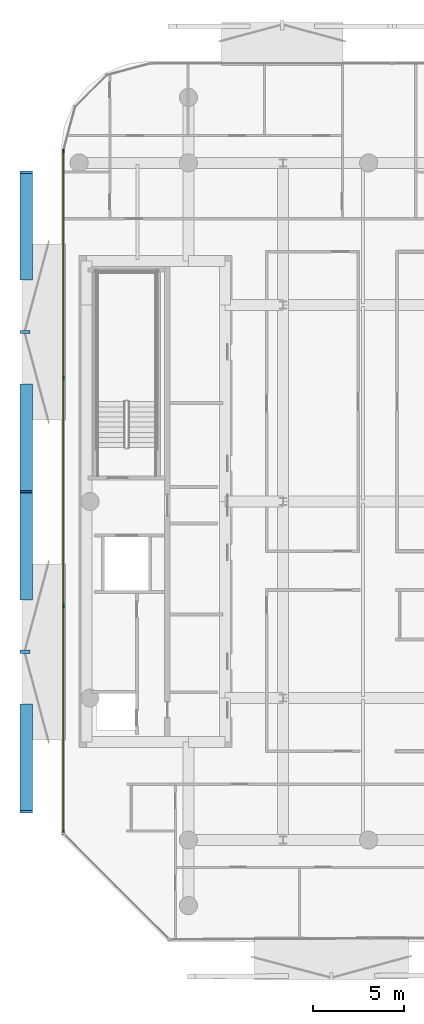
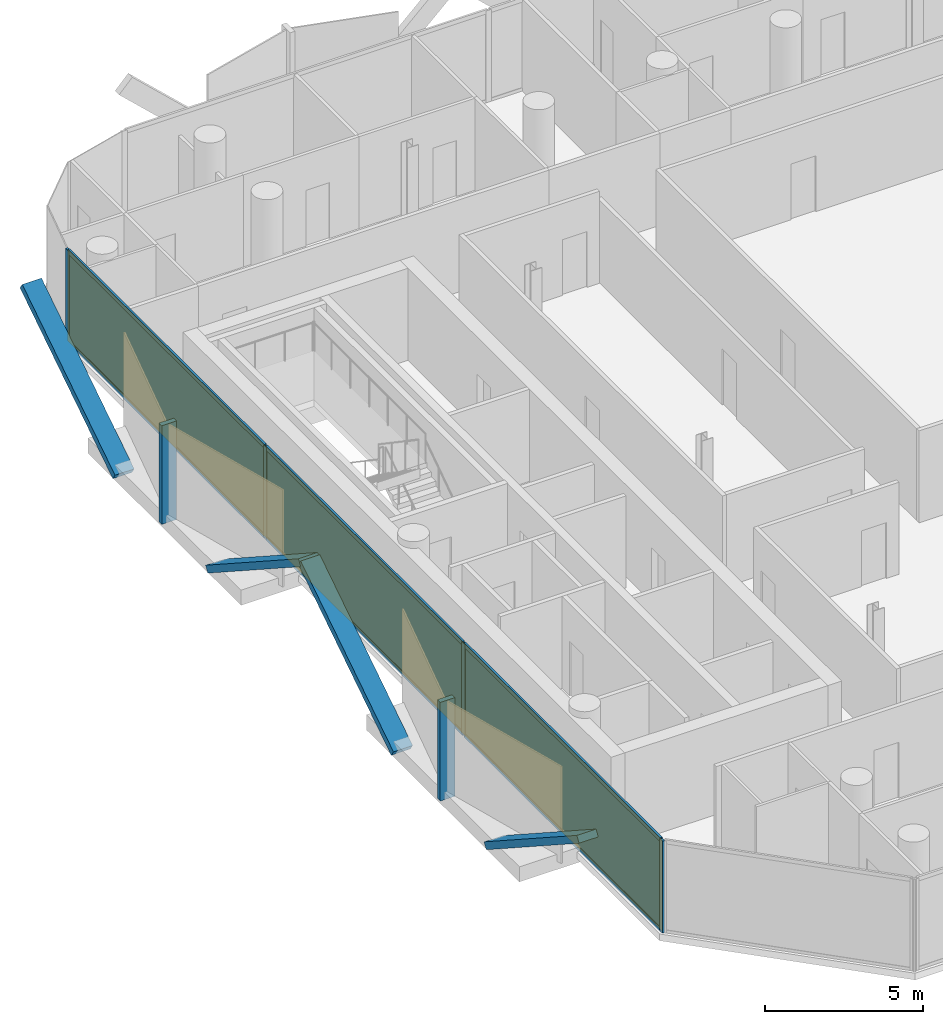
# One storey, part 10 of 15: 16 members, 3 plates, 1 curtain wall.
"""IFC4 building model written with IfcOpenShell, lengths in metres."""

from ifc_helpers import new_model, si_unit, direction, frame, frame_2d, origin, origin_2d, place, context, subcontext, project, spatial, rectangle, extrude, material, layer, layer_set, material_profile, profile_set, type_object, element, aggregate, save


model = new_model("IFC4")

# Units and contexts
model_context = context("Model", 3, precision=1e-05, world=origin(), true_north=direction((0.0, 1.0)))
body_context = subcontext(model_context, "Body", "Model", "MODEL_VIEW")
ifc_project = project(units=[si_unit("LENGTHUNIT", "METRE"), si_unit("AREAUNIT", "SQUARE_METRE"), si_unit("VOLUMEUNIT", "CUBIC_METRE"), si_unit("PLANEANGLEUNIT", "RADIAN"), si_unit("MASSUNIT", "GRAM", prefix="KILO")], contexts=[model_context])

# Member
ifc_material_1 = material(Name="Anodised Bronze Aluminium 6063-T6", Category="aluminium")
ifc_material_profile_1 = material_profile(ifc_material_1, rectangle(XDim=0.260009765625, YDim=0.699951171875, at=origin_2d()))
ifc_profile_set_1 = profile_set([ifc_material_profile_1], Name="Anodised Bronze Aluminium 6063-T6")
member_type_1 = type_object("IfcMemberType", Name="Bronze Diamond Solar-Screen Lattice Rib BDL-700", PredefinedType="MULLION", material=ifc_profile_set_1)
site_placement = place(None, origin())
building_placement = place(site_placement, origin())
storey_placement = place(building_placement, frame((0.0, 0.0, 285.199951171875)))
member_1_placement = place(storey_placement, frame((-23.300048828125, -5.3310546875, -0.1298828125), z_axis=(0.0, 0.838836542379, 0.544383371503), x_axis=(0.0, -0.544383371503, 0.838836542379)))
member_1 = element("IfcMember", 1, at=member_1_placement, type_object=member_type_1, Name="L68 Bronze Diamond Solar Screen Lattice Rib 472A", PredefinedType="MULLION", context=body_context, shape_type="SweptSolid", body=[
    extrude(rectangle(XDim=0.260009765625, YDim=0.699951171875, at=origin_2d()), origin(), (0.0, 0.0, 1.0), 6.98046875),
])

member_2_placement = place(storey_placement, frame((-23.300048828125, -11.1865234375, -0.1298828125), z_axis=(0.0, -0.838836542379, 0.544383371503), x_axis=(0.0, 0.544383371503, 0.838836542379)))
member_2 = element("IfcMember", 2, at=member_2_placement, type_object=member_type_1, Name="L68 Bronze Diamond Solar Screen Lattice Rib 472B", PredefinedType="MULLION", context=body_context, shape_type="SweptSolid", body=[
    extrude(rectangle(XDim=0.260009765625, YDim=0.699951171875, at=origin_2d()), origin(), (0.0, 0.0, 1.0), 6.98046875),
])

member_3_placement = place(storey_placement, frame((-23.300048828125, 12.2353515625, -0.1298828125), z_axis=(0.0, 0.838836542379, 0.544383371503), x_axis=(0.0, -0.544383371503, 0.838836542379)))
member_3 = element("IfcMember", 3, at=member_3_placement, type_object=member_type_1, Name="L68 Bronze Diamond Solar Screen Lattice Rib 473A", PredefinedType="MULLION", context=body_context, shape_type="SweptSolid", body=[
    extrude(rectangle(XDim=0.260009765625, YDim=0.699951171875, at=origin_2d()), origin(), (0.0, 0.0, 1.0), 6.98046875),
])

member_4_placement = place(storey_placement, frame((-23.300048828125, 6.3798828125, -0.1298828125), z_axis=(0.0, -0.838836542379, 0.544383371503), x_axis=(0.0, 0.544383371503, 0.838836542379)))
member_4 = element("IfcMember", 4, at=member_4_placement, type_object=member_type_1, Name="L68 Bronze Diamond Solar Screen Lattice Rib 473B", PredefinedType="MULLION", context=body_context, shape_type="SweptSolid", body=[
    extrude(rectangle(XDim=0.260009765625, YDim=0.699951171875, at=origin_2d()), origin(), (0.0, 0.0, 1.0), 6.98046875),
])

ifc_material_2 = material(Name="Anodised Bronze Aluminium 6063-T6", Category="aluminium")
ifc_material_profile_2 = material_profile(ifc_material_2, rectangle(XDim=0.179931640625, YDim=0.5400390625, at=origin_2d()))
ifc_profile_set_2 = profile_set([ifc_material_profile_2], Name="Anodised Bronze Aluminium 6063-T6")
member_type_2 = type_object("IfcMemberType", Name="Bronze Solar-Screen Vertical Fold Fin BSF-540", PredefinedType="MULLION", material=ifc_profile_set_2)
member_5_placement = place(storey_placement, frame((-23.3798828125, -8.2587890625, -0.1298828125), z_axis=(0.0, 0.0, 1.0), x_axis=(0.0, 1.0, 0.0)))
member_5 = element("IfcMember", 5, at=member_5_placement, type_object=member_type_2, Name="L68 Bronze Solar Screen Vertical Fin 472", PredefinedType="MULLION", context=body_context, shape_type="SweptSolid", body=[
    extrude(rectangle(XDim=0.179931640625, YDim=0.5400390625, at=origin_2d()), origin(), (0.0, 0.0, 1.0), 3.800048828125),
])

member_6_placement = place(storey_placement, frame((-23.3798828125, 9.3076171875, -0.1298828125), z_axis=(0.0, 0.0, 1.0), x_axis=(0.0, 1.0, 0.0)))
member_6 = element("IfcMember", 6, at=member_6_placement, type_object=member_type_2, Name="L68 Bronze Solar Screen Vertical Fin 473", PredefinedType="MULLION", context=body_context, shape_type="SweptSolid", body=[
    extrude(rectangle(XDim=0.179931640625, YDim=0.5400390625, at=origin_2d()), origin(), (0.0, 0.0, 1.0), 3.800048828125),
])

ifc_material_3 = material(Name="Anodised Bronze Aluminium 6063-T6", Category="aluminium")
ifc_material_profile_3 = material_profile(ifc_material_3, rectangle(XDim=0.074951171875, YDim=0.2099609375, at=origin_2d()))
ifc_profile_set_3 = profile_set([ifc_material_profile_3], Name="Anodised Bronze Aluminium 6063-T6")
member_type_3 = type_object("IfcMemberType", Name="CW-CRN Mullion 75x210", PredefinedType="MULLION", material=ifc_profile_set_3)
member_7_placement = place(storey_placement, frame((-21.260009765625, -18.20458984375, 0.0), z_axis=(0.0, 0.0, 1.0), x_axis=(-1.0, 0.0, 0.0)))
member_7 = element("IfcMember", 7, at=member_7_placement, type_object=member_type_3, Name="CW-CRN mullion 1", PredefinedType="MULLION", context=body_context, shape_type="SweptSolid", body=[
    extrude(rectangle(XDim=0.074951171875, YDim=0.2099609375, at=origin_2d()), origin(), (0.0, 0.0, 1.0), 3.5400390625),
])

member_8_placement = place(storey_placement, frame((-21.260009765625, -5.73095703125, 0.0), z_axis=(0.0, 0.0, 1.0), x_axis=(-1.0, 0.0, 0.0)))
member_8 = element("IfcMember", 8, at=member_8_placement, type_object=member_type_3, Name="CW-CRN mullion 2", PredefinedType="MULLION", context=body_context, shape_type="SweptSolid", body=[
    extrude(rectangle(XDim=0.074951171875, YDim=0.2099609375, at=origin_2d()), origin(), (0.0, 0.0, 1.0), 3.5400390625),
])

member_9_placement = place(storey_placement, frame((-21.260009765625, 6.77978515625, 0.0), z_axis=(0.0, 0.0, 1.0), x_axis=(-1.0, 0.0, 0.0)))
member_9 = element("IfcMember", 9, at=member_9_placement, type_object=member_type_3, Name="CW-CRN mullion 3", PredefinedType="MULLION", context=body_context, shape_type="SweptSolid", body=[
    extrude(rectangle(XDim=0.074951171875, YDim=0.2099609375, at=origin_2d()), origin(), (0.0, 0.0, 1.0), 3.5400390625),
])

member_10_placement = place(storey_placement, frame((-21.260009765625, 19.25341796875, 0.0), z_axis=(0.0, 0.0, 1.0), x_axis=(-1.0, 0.0, 0.0)))
member_10 = element("IfcMember", 10, at=member_10_placement, type_object=member_type_3, Name="CW-CRN mullion 4", PredefinedType="MULLION", context=body_context, shape_type="SweptSolid", body=[
    extrude(rectangle(XDim=0.074951171875, YDim=0.2099609375, at=origin_2d()), origin(), (0.0, 0.0, 1.0), 3.5400390625),
])

ifc_material_4 = material(Name="Anodised Bronze Aluminium 6063-T6", Category="aluminium")
ifc_material_profile_4 = material_profile(ifc_material_4, rectangle(XDim=0.074951171875, YDim=0.1650390625, at=origin_2d()))
ifc_profile_set_4 = profile_set([ifc_material_profile_4], Name="Anodised Bronze Aluminium 6063-T6")
member_type_4 = type_object("IfcMemberType", Name="CW-CRN Transom 75x165", PredefinedType="USERDEFINED", material=ifc_profile_set_4)
member_11_placement = place(storey_placement, frame((-21.260009765625, -18.1669921875, 0.03759765625), z_axis=(0.0, 1.0, 0.0), x_axis=(-1.0, 0.0, 0.0)))
member_11 = element("IfcMember", 11, at=member_11_placement, type_object=member_type_4, Name="CW-CRN transom 1.1", ObjectType="TRANSOM", PredefinedType="USERDEFINED", context=body_context, shape_type="SweptSolid", body=[
    extrude(rectangle(XDim=0.074951171875, YDim=0.1650390625, at=origin_2d()), origin(), (0.0, 0.0, 1.0), 12.3984375),
])

member_12_placement = place(storey_placement, frame((-21.260009765625, -18.1669921875, 3.50244140625), z_axis=(0.0, 1.0, 0.0), x_axis=(-1.0, 0.0, 0.0)))
member_12 = element("IfcMember", 12, at=member_12_placement, type_object=member_type_4, Name="CW-CRN transom 1.2", ObjectType="TRANSOM", PredefinedType="USERDEFINED", context=body_context, shape_type="SweptSolid", body=[
    extrude(rectangle(XDim=0.074951171875, YDim=0.1650390625, at=origin_2d()), origin(), (0.0, 0.0, 1.0), 12.3984375),
])

member_13_placement = place(storey_placement, frame((-21.260009765625, -5.693603515625, 0.03759765625), z_axis=(0.0, 1.0, 0.0), x_axis=(-1.0, 0.0, 0.0)))
member_13 = element("IfcMember", 13, at=member_13_placement, type_object=member_type_4, Name="CW-CRN transom 2.1", ObjectType="TRANSOM", PredefinedType="USERDEFINED", context=body_context, shape_type="SweptSolid", body=[
    extrude(rectangle(XDim=0.074951171875, YDim=0.1650390625, at=origin_2d()), origin(), (0.0, 0.0, 1.0), 12.43603515625),
])

member_14_placement = place(storey_placement, frame((-21.260009765625, -5.693603515625, 3.50244140625), z_axis=(0.0, 1.0, 0.0), x_axis=(-1.0, 0.0, 0.0)))
member_14 = element("IfcMember", 14, at=member_14_placement, type_object=member_type_4, Name="CW-CRN transom 2.2", ObjectType="TRANSOM", PredefinedType="USERDEFINED", context=body_context, shape_type="SweptSolid", body=[
    extrude(rectangle(XDim=0.074951171875, YDim=0.1650390625, at=origin_2d()), origin(), (0.0, 0.0, 1.0), 12.43603515625),
])

member_15_placement = place(storey_placement, frame((-21.260009765625, 6.8173828125, 0.03759765625), z_axis=(0.0, 1.0, 0.0), x_axis=(-1.0, 0.0, 0.0)))
member_15 = element("IfcMember", 15, at=member_15_placement, type_object=member_type_4, Name="CW-CRN transom 3.1", ObjectType="TRANSOM", PredefinedType="USERDEFINED", context=body_context, shape_type="SweptSolid", body=[
    extrude(rectangle(XDim=0.074951171875, YDim=0.1650390625, at=origin_2d()), origin(), (0.0, 0.0, 1.0), 12.3984375),
])

member_16_placement = place(storey_placement, frame((-21.260009765625, 6.8173828125, 3.50244140625), z_axis=(0.0, 1.0, 0.0), x_axis=(-1.0, 0.0, 0.0)))
member_16 = element("IfcMember", 16, at=member_16_placement, type_object=member_type_4, Name="CW-CRN transom 3.2", ObjectType="TRANSOM", PredefinedType="USERDEFINED", context=body_context, shape_type="SweptSolid", body=[
    extrude(rectangle(XDim=0.074951171875, YDim=0.1650390625, at=origin_2d()), origin(), (0.0, 0.0, 1.0), 12.3984375),
])

# Plate
ifc_material_5 = material(Name="Low-E Solar Control Laminated Glass", Category="glass")
ifc_layer_1 = layer(ifc_material_5, 0.035888671875, Name="Low-E Solar Control Laminated Glass")
ifc_layer_set_1 = layer_set([ifc_layer_1], Name="Low-E Solar Control Laminated Glass")
plate_type = type_object("IfcPlateType", Name="CW-CRN Low-E Double Glazed Panel 36mm", PredefinedType="CURTAIN_PANEL", material=ifc_layer_set_1)
plate_1_placement = place(storey_placement, frame((-21.260009765625, -11.9677734375, 0.0751953125), z_axis=(0.0, 0.0, 1.0), x_axis=(0.0, 1.0, 0.0)))
plate_1 = element("IfcPlate", 17, at=plate_1_placement, type_object=plate_type, Name="CW-CRN panel 1.1", PredefinedType="CURTAIN_PANEL", context=body_context, shape_type="SweptSolid", body=[
    extrude(rectangle(XDim=12.3984375, YDim=0.035888671875, at=origin_2d()), origin(), (0.0, 0.0, 1.0), 3.389892578125),
])

plate_2_placement = place(storey_placement, frame((-21.260009765625, 0.5244140625, 0.0751953125), z_axis=(0.0, 0.0, 1.0), x_axis=(0.0, 1.0, 0.0)))
plate_2 = element("IfcPlate", 18, at=plate_2_placement, type_object=plate_type, Name="CW-CRN panel 2.1", PredefinedType="CURTAIN_PANEL", context=body_context, shape_type="SweptSolid", body=[
    extrude(rectangle(XDim=12.43603515625, YDim=0.035888671875, at=origin_2d()), origin(), (0.0, 0.0, 1.0), 3.389892578125),
])

plate_3_placement = place(storey_placement, frame((-21.260009765625, 13.0166015625, 0.0751953125), z_axis=(0.0, 0.0, 1.0), x_axis=(0.0, 1.0, 0.0)))
plate_3 = element("IfcPlate", 19, at=plate_3_placement, type_object=plate_type, Name="CW-CRN panel 3.1", PredefinedType="CURTAIN_PANEL", context=body_context, shape_type="SweptSolid", body=[
    extrude(rectangle(XDim=12.3984375, YDim=0.035888671875, at=origin_2d()), origin(), (0.0, 0.0, 1.0), 3.389892578125),
])

# Site, building, storey
site = spatial("IfcSite", under=ifc_project, at=site_placement, CompositionType="ELEMENT")
building = spatial("IfcBuilding", under=site, at=building_placement, Name="Khairoan Windgate Tower", CompositionType="ELEMENT")
storey = spatial("IfcBuildingStorey", under=building, at=storey_placement, Name="L68", CompositionType="ELEMENT", Elevation=285.199951171875)

# Curtain wall
ifc_material_6 = material(Name="Anodised Bronze Aluminium 6063-T6", Category="aluminium")
ifc_layer_2 = layer(ifc_material_6, 0.2099609375, Name="Anodised Bronze Aluminium 6063-T6")
ifc_layer_set_2 = layer_set([ifc_layer_2], Name="Anodised Bronze Aluminium 6063-T6")
curtain_wall_type = type_object("IfcCurtainWallType", Name="Crown Observation and Vitrine Curtain Wall CW-CRN", PredefinedType="NOTDEFINED", material=ifc_layer_set_2)
curtain_wall_placement = place(storey_placement, frame((-21.260009765625, -18.241943359375, 0.0), z_axis=(0.0, 0.0, 1.0), x_axis=(0.0, 1.0, 0.0)))
curtain_wall = element("IfcCurtainWall", 20, at=curtain_wall_placement, inside=storey, type_object=curtain_wall_type, Name="L68 Unitised Curtain Wall 3", PredefinedType="NOTDEFINED", context=body_context, shape_type="SweptSolid", body=[
    extrude(rectangle(XDim=37.53271484375, YDim=0.010009765625, at=frame_2d((18.766357421875, 0.0))), origin(), (0.0, 0.0, 1.0), 3.5400390625),
])

aggregate(curtain_wall, [member_7, member_8, member_9, member_10, member_11, member_12, plate_1, member_13, member_14, plate_2, member_15, member_16, plate_3, member_1, member_2, member_5, member_3, member_4, member_6])

save(model, "model.ifc")
